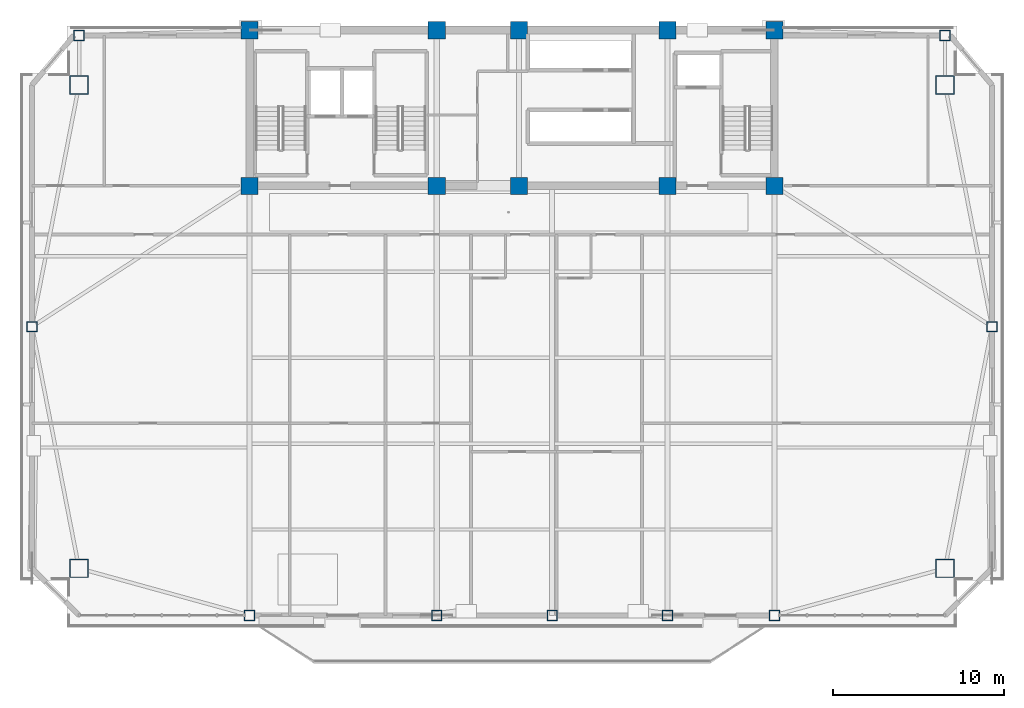
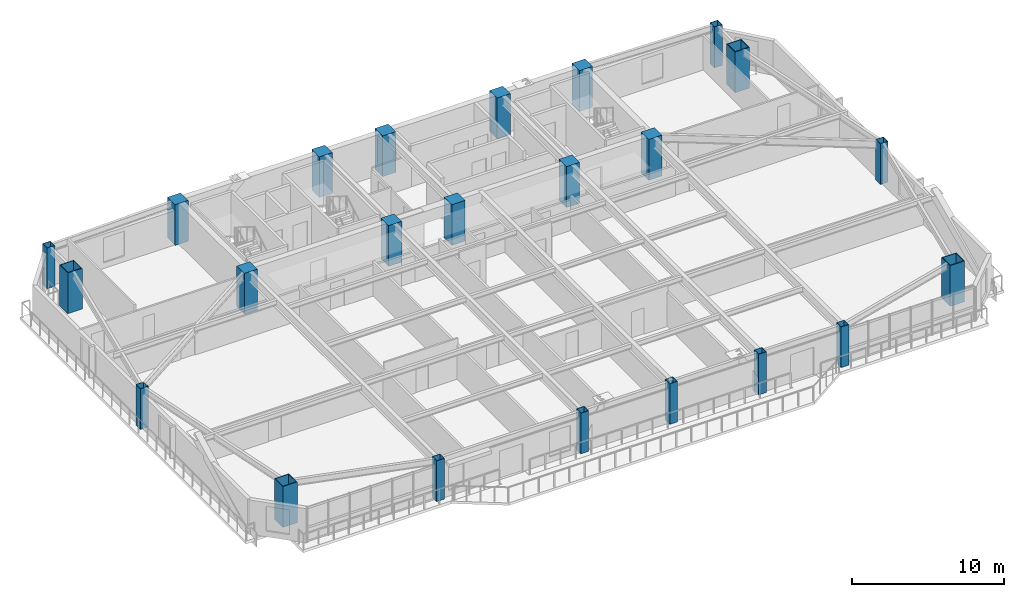
# One storey, part 1 of 17: 23 columns.
"""IFC4 building model written with IfcOpenShell, lengths in metres."""

from ifc_helpers import new_model, si_unit, direction, frame, origin, origin_2d, place, context, subcontext, project, spatial, rectangle, hollow_rectangle, extrude, source, transform, mapped, material, material_profile, profile_set, type_object, element, save


model = new_model("IFC4")

# Units and contexts
model_context = context("Model", 3, precision=1e-05, world=origin(), true_north=direction((0.0, 1.0)))
body_context = subcontext(model_context, "Body", "Model", "MODEL_VIEW")
ifc_project = project(units=[si_unit("LENGTHUNIT", "METRE"), si_unit("AREAUNIT", "SQUARE_METRE"), si_unit("VOLUMEUNIT", "CUBIC_METRE"), si_unit("PLANEANGLEUNIT", "RADIAN"), si_unit("MASSUNIT", "GRAM", prefix="KILO")], contexts=[model_context])

# Site, building, storey
site_placement = place(None, origin())
site = spatial("IfcSite", under=ifc_project, at=site_placement, CompositionType="ELEMENT")
building_placement = place(site_placement, origin())
building = spatial("IfcBuilding", under=site, at=building_placement, Name="Giltprow Tower", CompositionType="ELEMENT")
storey_placement = place(building_placement, frame((0.0, 0.0, 213.199951171875)))
storey = spatial("IfcBuildingStorey", under=building, at=storey_placement, Name="L54", CompositionType="ELEMENT", Elevation=213.199951171875)

# Columns
ifc_material_1 = material(Name="Concrete C50", Category="concrete")
ifc_material_profile_1 = material_profile(ifc_material_1, rectangle(XDim=1.0, YDim=1.0, at=origin_2d()), Name="RC 1000x1000")
ifc_profile_set_1 = profile_set([ifc_material_profile_1], Name="Concrete C50")
column_type_1 = type_object("IfcColumnType", Name="PIL-RC-1000-C50", PredefinedType="PILASTER", material=ifc_profile_set_1)
shared_shape_1 = source(origin(), body_context, "Body", "SweptSolid", [
    extrude(rectangle(XDim=1.0, YDim=1.0, at=origin_2d()), origin(), (0.0, 0.0, 1.0), 3.27001953125),
])
for number, where, z_axis, x_axis, name in (
    (1, (19.85009765625, 37.449951171875, 0.0), (0.0, 0.0, 1.0), (1.0, 0.0, 0.0), "L54 Core Boundary Pilaster 1-1"),
    (2, (19.85009765625, 46.550048828125, 0.0), (0.0, 0.0, 1.0), (1.0, 0.0, 0.0), "L54 Core Boundary Pilaster 1-2"),
    (3, (30.800048828125, 37.449951171875, 0.0), (0.0, 0.0, 1.0), (1.0, 0.0, 0.0), "L54 Core Boundary Pilaster 2-1"),
    (4, (30.800048828125, 46.550048828125, 0.0), (0.0, 0.0, 1.0), (1.0, 0.0, 0.0), "L54 Core Boundary Pilaster 2-2"),
    (5, (35.60009765625, 37.449951171875, 0.0), (0.0, 0.0, 1.0), (1.0, 0.0, 0.0), "L54 Core Boundary Pilaster 3-1"),
    (6, (35.60009765625, 46.550048828125, 0.0), (0.0, 0.0, 1.0), (1.0, 0.0, 0.0), "L54 Core Boundary Pilaster 3-2"),
    (7, (44.300048828125, 37.449951171875, 0.0), (0.0, 0.0, 1.0), (1.0, 0.0, 0.0), "L54 Core Boundary Pilaster 4-1"),
    (8, (44.300048828125, 46.550048828125, 0.0), (0.0, 0.0, 1.0), (1.0, 0.0, 0.0), "L54 Core Boundary Pilaster 4-2"),
    (9, (50.550048828125, 37.449951171875, 0.0), (0.0, 0.0, 1.0), (1.0, 0.0, 0.0), "L54 Core Boundary Pilaster 5-1"),
    (10, (50.550048828125, 46.550048828125, 0.0), (0.0, 0.0, 1.0), (1.0, 0.0, 0.0), "L54 Core Boundary Pilaster 5-2"),
):
    element("IfcColumn", number, at=place(storey_placement, frame(where, z_axis=z_axis, x_axis=x_axis)), inside=storey, type_object=column_type_1, Name=name, PredefinedType="PILASTER", context=body_context, shape_type="MappedRepresentation", body=[
        mapped(shared_shape_1, transform((0.0, 0.0, 0.0), x_axis=(1.0, 0.0, 0.0), y_axis=(0.0, 1.0, 0.0), z_axis=(0.0, 0.0, 1.0), scale=1.0)),
    ])
ifc_material_2 = material(Name="Structural steel Q420GJC", Category="steel")
ifc_material_profile_2 = material_profile(ifc_material_2, hollow_rectangle(XDim=1.10009765625, YDim=1.10009765625, WallThickness=0.050048828125, at=origin_2d()), Name="BOX 1100x1100x50")
ifc_profile_set_2 = profile_set([ifc_material_profile_2], Name="Structural steel Q420GJC")
column_type_2 = type_object("IfcColumnType", Name="COL-BOX-1100x1100x50", PredefinedType="COLUMN", material=ifc_profile_set_2)
shared_shape_2 = source(origin(), body_context, "Body", "SweptSolid", [
    extrude(hollow_rectangle(XDim=1.10009765625, YDim=1.10009765625, WallThickness=0.050048828125, at=origin_2d()), origin(), (0.0, 0.0, 1.0), 3.27001953125),
])
for number, where, z_axis, x_axis, name in (
    (11, (9.8720703125, 15.072021484375, 0.0), (0.0, 0.0, 1.0), (1.0, 0.0, 0.0), "L54 Mega-Column MC_SW"),
    (12, (60.528076171875, 15.072021484375, 0.0), (0.0, 0.0, 1.0), (1.0, 0.0, 0.0), "L54 Mega-Column MC_SE"),
    (13, (9.8720703125, 43.345947265625, 0.0), (0.0, 0.0, 1.0), (1.0, 0.0, 0.0), "L54 Mega-Column MC_NW"),
    (14, (60.528076171875, 43.345947265625, 0.0), (0.0, 0.0, 1.0), (1.0, 0.0, 0.0), "L54 Mega-Column MC_NE"),
):
    element("IfcColumn", number, at=place(storey_placement, frame(where, z_axis=z_axis, x_axis=x_axis)), inside=storey, type_object=column_type_2, Name=name, PredefinedType="COLUMN", context=body_context, shape_type="MappedRepresentation", body=[
        mapped(shared_shape_2, transform((0.0, 0.0, 0.0), x_axis=(1.0, 0.0, 0.0), y_axis=(0.0, 1.0, 0.0), z_axis=(0.0, 0.0, 1.0), scale=1.0)),
    ])
ifc_material_3 = material(Name="Structural steel Q355B", Category="steel")
ifc_material_profile_3 = material_profile(ifc_material_3, hollow_rectangle(XDim=0.60009765625, YDim=0.60009765625, WallThickness=0.028076171875, at=origin_2d()), Name="BOX 600x600x28")
ifc_profile_set_3 = profile_set([ifc_material_profile_3], Name="Structural steel Q355B")
column_type_3 = type_object("IfcColumnType", Name="COL-BOX-600x600x28", PredefinedType="COLUMN", material=ifc_profile_set_3)
shared_shape_3 = source(origin(), body_context, "Body", "SweptSolid", [
    extrude(hollow_rectangle(XDim=0.60009765625, YDim=0.60009765625, WallThickness=0.028076171875, at=origin_2d()), origin(), (0.0, 0.0, 1.0), 3.27001953125),
])
for number, where, z_axis, x_axis, name in (
    (15, (19.85009765625, 12.318115234375, 0.0), (0.0, 0.0, 1.0), (1.0, 0.0, 0.0), "L54 Perimeter Column S1"),
    (16, (30.800048828125, 12.318115234375, 0.0), (0.0, 0.0, 1.0), (1.0, 0.0, 0.0), "L54 Perimeter Column S2"),
    (17, (37.550048828125, 12.318115234375, 0.0), (0.0, 0.0, 1.0), (1.0, 0.0, 0.0), "L54 Perimeter Column S_MID"),
    (18, (44.300048828125, 12.318115234375, 0.0), (0.0, 0.0, 1.0), (1.0, 0.0, 0.0), "L54 Perimeter Column S3"),
    (19, (50.550048828125, 12.318115234375, 0.0), (0.0, 0.0, 1.0), (1.0, 0.0, 0.0), "L54 Perimeter Column S4"),
    (20, (7.117919921875, 29.208984375, 0.0), (0.0, 0.0, 1.0), (1.0, 0.0, 0.0), "L54 Perimeter Column W_MID"),
    (21, (63.281982421875, 29.208984375, 0.0), (0.0, 0.0, 1.0), (1.0, 0.0, 0.0), "L54 Perimeter Column E_MID"),
    (22, (9.8720703125, 46.25, 0.0), (0.0, 0.0, 1.0), (1.0, 0.0, 0.0), "L54 Perimeter Column N_W"),
    (23, (60.528076171875, 46.25, 0.0), (0.0, 0.0, 1.0), (1.0, 0.0, 0.0), "L54 Perimeter Column N_E"),
):
    element("IfcColumn", number, at=place(storey_placement, frame(where, z_axis=z_axis, x_axis=x_axis)), inside=storey, type_object=column_type_3, Name=name, PredefinedType="COLUMN", context=body_context, shape_type="MappedRepresentation", body=[
        mapped(shared_shape_3, transform((0.0, 0.0, 0.0), x_axis=(1.0, 0.0, 0.0), y_axis=(0.0, 1.0, 0.0), z_axis=(0.0, 0.0, 1.0), scale=1.0)),
    ])

save(model, "model.ifc")
